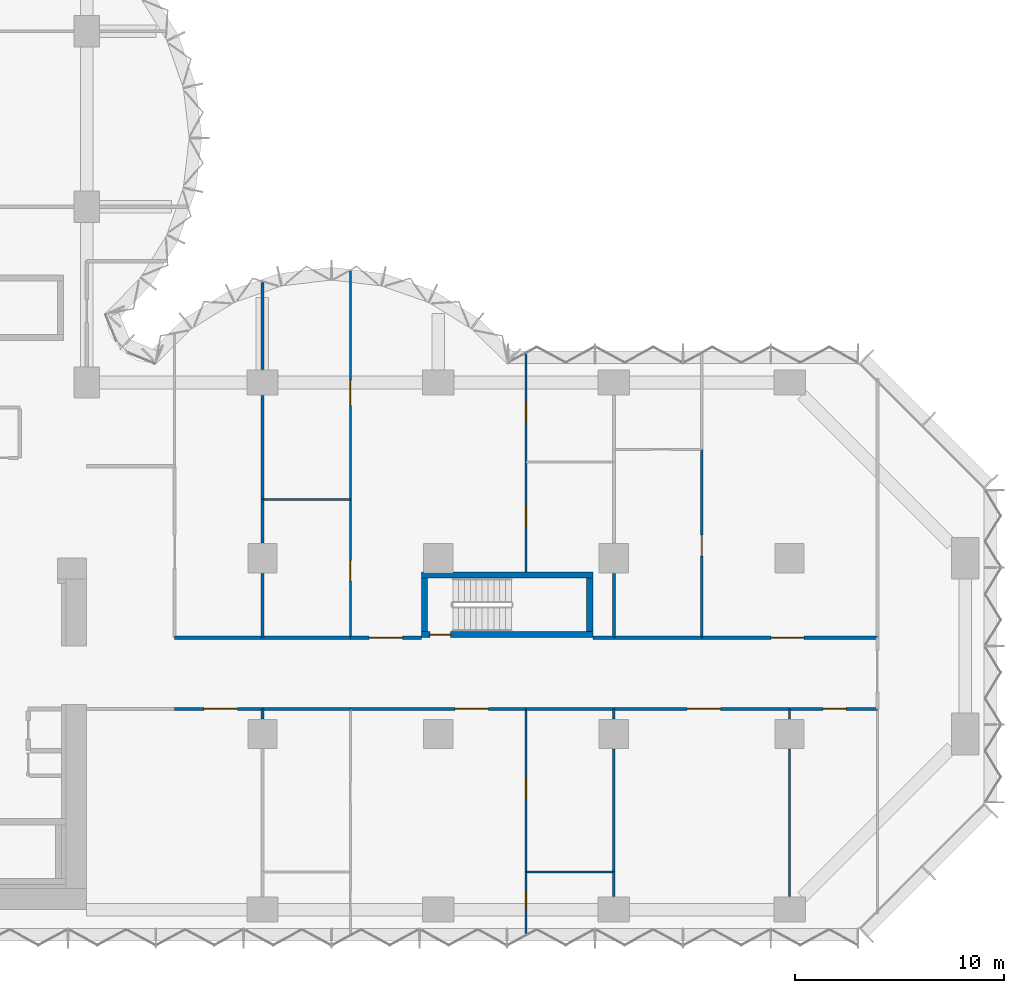
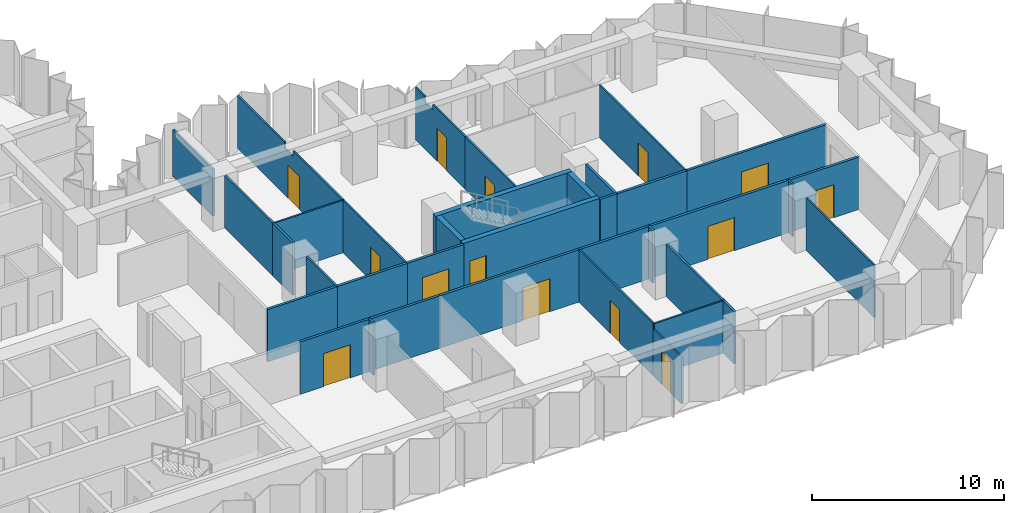
# One storey, part 12 of 18: 36 walls, 14 doors, 14 openings.
"""IFC4 building model written with IfcOpenShell, lengths in metres."""

from ifc_helpers import new_model, si_unit, direction, frame, frame_2d, origin, place, context, subcontext, project, spatial, polyline, rectangle, outline, extrude, material, layer, layer_set, type_object, element, fill, save


model = new_model("IFC4")

# Units and contexts
model_context = context("Model", 3, precision=1e-05, world=origin(), true_north=direction((0.0, 1.0)))
body_context = subcontext(model_context, "Body", "Model", "MODEL_VIEW")
ifc_project = project(units=[si_unit("LENGTHUNIT", "METRE"), si_unit("AREAUNIT", "SQUARE_METRE"), si_unit("VOLUMEUNIT", "CUBIC_METRE"), si_unit("PLANEANGLEUNIT", "RADIAN"), si_unit("MASSUNIT", "GRAM", prefix="KILO")], contexts=[model_context])

# Site, building, storey
site_placement = place(None, origin())
site = spatial("IfcSite", under=ifc_project, at=site_placement, CompositionType="ELEMENT")
building_placement = place(site_placement, origin())
building = spatial("IfcBuilding", under=site, at=building_placement, Name="Brevane Broadcast Tower", CompositionType="ELEMENT")
storey_placement = place(building_placement, frame((0.0, 0.0, 40.10009765625)))
storey = spatial("IfcBuildingStorey", under=building, at=storey_placement, Name="L07", CompositionType="ELEMENT", Elevation=40.10009765625)

# Wall, opening, door
ifc_material_1 = material(Name="Concrete C80/95", Category="concrete")
ifc_layer_1 = layer(ifc_material_1, 0.300048828125)
ifc_layer_set_1 = layer_set([ifc_layer_1], Name="Core wall 300 mm C80/95")
wall_type_1 = type_object("IfcWallType", Name="Core wall 300 mm C80/95", PredefinedType="SHEAR", material=ifc_layer_set_1)
wall_1_placement = place(storey_placement, frame((49.39990234375, 13.14990234375, 0.0), z_axis=(0.0, 0.0, 1.0), x_axis=(-1.0, 0.0, 0.0)))
wall_1 = element("IfcWall", 1, at=wall_1_placement, inside=storey, type_object=wall_type_1, Name="L07 stair wall ST-4-S", PredefinedType="SHEAR", context=body_context, shape_type="SweptSolid", body=[
    extrude(rectangle(XDim=8.199951171875, YDim=0.300048828125, at=frame_2d((4.10009765625, 0.0))), origin(), (0.0, 0.0, 1.0), 3.349853515625),
])
opening_1_placement = place(wall_1_placement, frame((6.800048828125, 0.0, 0.0)))
opening_1 = element("IfcOpeningElement", 2, at=opening_1_placement, cuts=wall_1, Name="Opening L07-K15", PredefinedType="OPENING", context=body_context, shape_type="SweptSolid", body=[
    extrude(rectangle(XDim=1.0, YDim=2.10009765625, at=frame_2d((0.5, 1.050048828125))), frame((0.0, 0.159912109375, 0.0), z_axis=(0.0, -1.0, 0.0), x_axis=(1.0, 0.0, 0.0)), (0.0, 0.0, 1.0), 0.320068359375),
])
ifc_material_2 = material(Name="Steel", Category="steel")
door_type_1 = type_object("IfcDoorType", Name="Stair door 1000 x 2100", OperationType="SINGLE_SWING_LEFT", PredefinedType="DOOR", material=ifc_material_2)
door_1_placement = place(opening_1_placement, origin())
door_1 = element("IfcDoor", 3, at=door_1_placement, inside=storey, type_object=door_type_1, Name="Door L07-K15", OperationType="SINGLE_SWING_LEFT", OverallHeight=2.10009765625, OverallWidth=1.0, PredefinedType="DOOR", context=body_context, shape_type="SweptSolid", body=[
    extrude(rectangle(XDim=1.0, YDim=2.10009765625, at=frame_2d((0.5, 1.050048828125))), frame((0.0, 0.02490234375, 0.0), z_axis=(0.0, -1.0, 0.0), x_axis=(1.0, 0.0, 0.0)), (0.0, 0.0, 1.0), 0.050048828125),
])
fill(opening_1, door_1)

# Walls
wall_2_placement = place(storey_placement, frame((41.199951171875, 16.0, 0.0), z_axis=(0.0, 0.0, 1.0), x_axis=(1.0, 0.0, 0.0)))
element("IfcWall", 4, at=wall_2_placement, inside=storey, type_object=wall_type_1, Name="L07 stair wall ST-4-N", PredefinedType="SHEAR", context=body_context, shape_type="SweptSolid", body=[
    extrude(rectangle(XDim=8.199951171875, YDim=0.300048828125, at=frame_2d((4.10009765625, 0.0))), origin(), (0.0, 0.0, 1.0), 3.349853515625),
])
for number, where, z_axis, x_axis, name in (
    (5, (41.35009765625, 13.300048828125, 0.0), (0.0, 0.0, 1.0), (0.0, 1.0, 0.0), "L07 stair wall ST-4-W"),
    (6, (49.25, 13.300048828125, 0.0), (0.0, 0.0, 1.0), (0.0, 1.0, 0.0), "L07 stair wall ST-4-E"),
):
    element("IfcWall", number, at=place(storey_placement, frame(where, z_axis=z_axis, x_axis=x_axis)), inside=storey, type_object=wall_type_1, Name=name, PredefinedType="SHEAR", context=body_context, shape_type="SweptSolid", body=[
        extrude(rectangle(XDim=2.550048828125, YDim=0.300048828125, at=frame_2d((1.27490234375, 0.0))), origin(), (0.0, 0.0, 1.0), 3.349853515625),
    ])

# Wall, opening, door
ifc_material_3 = material(Name="Gypsum board partition")
ifc_layer_2 = layer(ifc_material_3, 0.10009765625)
ifc_layer_set_2 = layer_set([ifc_layer_2], Name="PARTITION 100 STUD")
wall_type_2 = type_object("IfcWallType", Name="PARTITION 100 STUD", PredefinedType="PARTITIONING", material=ifc_layer_set_2)
wall_3_placement = place(storey_placement, frame((46.199951171875, 1.800048828125, 0.0), z_axis=(0.0, 0.0, 1.0), x_axis=(0.0, -1.0, 0.0)))
wall_3 = element("IfcWall", 7, at=wall_3_placement, inside=storey, type_object=wall_type_2, Name="Partition G01-025", PredefinedType="PARTITIONING", context=body_context, shape_type="SweptSolid", body=[
    extrude(rectangle(XDim=2.97412109375, YDim=0.10009765625, at=frame_2d((1.487060546875, 0.0))), origin(), (0.0, 0.0, 1.0), 2.97998046875),
])
opening_2_placement = place(wall_3_placement, frame((0.89990234375, 0.0, 0.0)))
opening_2 = element("IfcOpeningElement", 8, at=opening_2_placement, cuts=wall_3, Name="Opening D07-005", PredefinedType="OPENING", context=body_context, shape_type="SweptSolid", body=[
    extrude(rectangle(XDim=0.89990234375, YDim=2.10009765625, at=frame_2d((0.449951171875, 1.050048828125))), frame((0.0, 0.06005859375, 0.0), z_axis=(0.0, -1.0, 0.0), x_axis=(1.0, 0.0, 0.0)), (0.0, 0.0, 1.0), 0.1201171875),
])
ifc_material_4 = material(Name="Timber door leaf", Category="wood")
door_type_2 = type_object("IfcDoorType", Name="DOOR SINGLE 900 INTERNAL", OperationType="SINGLE_SWING_LEFT", PredefinedType="DOOR", material=ifc_material_4)
door_2_placement = place(opening_2_placement, origin())
door_2 = element("IfcDoor", 9, at=door_2_placement, inside=storey, type_object=door_type_2, Name="Door D07-005", OperationType="SINGLE_SWING_LEFT", OverallHeight=2.10009765625, OverallWidth=0.89990234375, PredefinedType="DOOR", context=body_context, shape_type="SweptSolid", body=[
    extrude(rectangle(XDim=0.89990234375, YDim=2.10009765625, at=frame_2d((0.449951171875, 1.050048828125))), frame((0.0, 0.02490234375, 0.0), z_axis=(0.0, -1.0, 0.0), x_axis=(1.0, 0.0, 0.0)), (0.0, 0.0, 1.0), 0.050048828125),
])
fill(opening_2, door_2)

wall_4_placement = place(storey_placement, frame((46.199951171875, 9.60009765625, 0.0), z_axis=(0.0, 0.0, 1.0), x_axis=(0.0, -1.0, 0.0)))
wall_4 = element("IfcWall", 10, at=wall_4_placement, inside=storey, type_object=wall_type_2, Name="Partition G01-026", PredefinedType="PARTITIONING", context=body_context, shape_type="SweptSolid", body=[
    extrude(rectangle(XDim=7.800048828125, YDim=0.10009765625, at=frame_2d((3.89990234375, 0.0))), origin(), (0.0, 0.0, 1.0), 3.329833984375),
])
opening_3_placement = place(wall_4_placement, frame((3.300048828125, 0.0, 0.0)))
opening_3 = element("IfcOpeningElement", 11, at=opening_3_placement, cuts=wall_4, Name="Opening D07-006", PredefinedType="OPENING", context=body_context, shape_type="SweptSolid", body=[
    extrude(rectangle(XDim=1.0, YDim=2.10009765625, at=frame_2d((0.5, 1.050048828125))), frame((0.0, 0.06005859375, 0.0), z_axis=(0.0, -1.0, 0.0), x_axis=(1.0, 0.0, 0.0)), (0.0, 0.0, 1.0), 0.1201171875),
])
door_type_3 = type_object("IfcDoorType", Name="DOOR SINGLE 1000 INTERNAL", OperationType="SINGLE_SWING_LEFT", PredefinedType="DOOR", material=ifc_material_4)
door_3_placement = place(opening_3_placement, origin())
door_3 = element("IfcDoor", 12, at=door_3_placement, inside=storey, type_object=door_type_3, Name="Door D07-006", OperationType="SINGLE_SWING_LEFT", OverallHeight=2.10009765625, OverallWidth=1.0, PredefinedType="DOOR", context=body_context, shape_type="SweptSolid", body=[
    extrude(rectangle(XDim=1.0, YDim=2.10009765625, at=frame_2d((0.5, 1.050048828125))), frame((0.0, 0.02490234375, 0.0), z_axis=(0.0, -1.0, 0.0), x_axis=(1.0, 0.0, 0.0)), (0.0, 0.0, 1.0), 0.050048828125),
])
fill(opening_3, door_3)

# Walls
wall_5_placement = place(storey_placement, frame((46.199951171875, 1.800048828125, 0.0), z_axis=(0.0, 0.0, 1.0), x_axis=(1.0, 0.0, 0.0)))
element("IfcWall", 13, at=wall_5_placement, inside=storey, type_object=wall_type_2, Name="Partition G01-029", PredefinedType="PARTITIONING", context=body_context, shape_type="SweptSolid", body=[
    extrude(rectangle(XDim=4.199951171875, YDim=0.10009765625, at=frame_2d((2.10009765625, 0.0))), origin(), (0.0, 0.0, 1.0), 3.329833984375),
])
wall_6_placement = place(storey_placement, frame((58.800048828125, 9.60009765625, 0.0), z_axis=(0.0, 0.0, 1.0), x_axis=(0.0, -1.0, 0.0)))
element("IfcWall", 14, at=wall_6_placement, inside=storey, type_object=wall_type_2, Name="Partition G01-034", PredefinedType="PARTITIONING", context=body_context, shape_type="SweptSolid", body=[
    extrude(rectangle(XDim=0.47998046875, YDim=0.10009765625, at=frame_2d((0.239990234375, 0.0))), origin(), (0.0, 0.0, 1.0), 3.329833984375),
])
wall_7_placement = place(storey_placement, frame((58.800048828125, 7.679931640625, 0.0), z_axis=(0.0, 0.0, 1.0), x_axis=(0.0, -1.0, 0.0)))
element("IfcWall", 15, at=wall_7_placement, inside=storey, type_object=wall_type_2, Name="Partition G01-035", PredefinedType="PARTITIONING", context=body_context, shape_type="SweptSolid", body=[
    extrude(rectangle(XDim=7.059814453125, YDim=0.10009765625, at=frame_2d((3.52978515625, 0.0))), origin(), (0.0, 0.0, 1.0), 3.329833984375),
])

# Wall, opening, door
wall_8_placement = place(storey_placement, frame((46.199951171875, 21.39990234375, 0.0), z_axis=(0.0, 0.0, 1.0), x_axis=(0.0, -1.0, 0.0)))
wall_8 = element("IfcWall", 16, at=wall_8_placement, inside=storey, type_object=wall_type_2, Name="Partition G01-040", PredefinedType="PARTITIONING", context=body_context, shape_type="SweptSolid", body=[
    extrude(rectangle(XDim=5.25, YDim=0.10009765625, at=frame_2d((2.625, 0.0))), origin(), (0.0, 0.0, 1.0), 3.329833984375),
])
opening_4_placement = place(wall_8_placement, frame((2.10009765625, 0.0, 0.0)))
opening_4 = element("IfcOpeningElement", 17, at=opening_4_placement, cuts=wall_8, Name="Opening D07-013", PredefinedType="OPENING", context=body_context, shape_type="SweptSolid", body=[
    extrude(rectangle(XDim=1.0, YDim=2.10009765625, at=frame_2d((0.5, 1.050048828125))), frame((0.0, 0.06005859375, 0.0), z_axis=(0.0, -1.0, 0.0), x_axis=(1.0, 0.0, 0.0)), (0.0, 0.0, 1.0), 0.1201171875),
])
door_4_placement = place(opening_4_placement, origin())
door_4 = element("IfcDoor", 18, at=door_4_placement, inside=storey, type_object=door_type_3, Name="Door D07-013", OperationType="SINGLE_SWING_LEFT", OverallHeight=2.10009765625, OverallWidth=1.0, PredefinedType="DOOR", context=body_context, shape_type="SweptSolid", body=[
    extrude(rectangle(XDim=1.0, YDim=2.10009765625, at=frame_2d((0.5, 1.050048828125))), frame((0.0, 0.02490234375, 0.0), z_axis=(0.0, -1.0, 0.0), x_axis=(1.0, 0.0, 0.0)), (0.0, 0.0, 1.0), 0.050048828125),
])
fill(opening_4, door_4)

wall_9_placement = place(storey_placement, frame((46.199951171875, 26.56494140625, 0.0), z_axis=(0.0, 0.0, 1.0), x_axis=(0.0, -1.0, 0.0)))
wall_9 = element("IfcWall", 19, at=wall_9_placement, inside=storey, type_object=wall_type_2, Name="Partition G01-041", PredefinedType="PARTITIONING", context=body_context, shape_type="SweptSolid", body=[
    extrude(outline(polyline([(0.0, 0.0), (5.1650390625, 0.0), (5.1650390625, 3.329833984375), (1.81494140625, 3.329833984375), (1.81298828125, 2.97998046875), (0.9169921875, 2.97998046875), (0.9150390625, 3.329833984375), (0.264892578125, 3.329833984375), (0.0, 3.329833984375), (0.0, 0.0)])), frame((0.0, 0.050048828125, 0.0), z_axis=(0.0, -1.0, 0.0), x_axis=(1.0, 0.0, 0.0)), (0.0, 0.0, 1.0), 0.10009765625),
])
opening_5_placement = place(wall_9_placement, frame((2.264892578125, 0.0, 0.0)))
opening_5 = element("IfcOpeningElement", 20, at=opening_5_placement, cuts=wall_9, Name="Opening D07-014", PredefinedType="OPENING", context=body_context, shape_type="SweptSolid", body=[
    extrude(rectangle(XDim=1.0, YDim=2.10009765625, at=frame_2d((0.5, 1.050048828125))), frame((0.0, 0.06005859375, 0.0), z_axis=(0.0, -1.0, 0.0), x_axis=(1.0, 0.0, 0.0)), (0.0, 0.0, 1.0), 0.1201171875),
])
door_5_placement = place(opening_5_placement, origin())
door_5 = element("IfcDoor", 21, at=door_5_placement, inside=storey, type_object=door_type_3, Name="Door D07-014", OperationType="SINGLE_SWING_LEFT", OverallHeight=2.10009765625, OverallWidth=1.0, PredefinedType="DOOR", context=body_context, shape_type="SweptSolid", body=[
    extrude(rectangle(XDim=1.0, YDim=2.10009765625, at=frame_2d((0.5, 1.050048828125))), frame((0.0, 0.02490234375, 0.0), z_axis=(0.0, -1.0, 0.0), x_axis=(1.0, 0.0, 0.0)), (0.0, 0.0, 1.0), 0.050048828125),
])
fill(opening_5, door_5)

wall_10_placement = place(storey_placement, frame((37.800048828125, 13.0, 0.0), z_axis=(0.0, 0.0, 1.0), x_axis=(0.0, 1.0, 0.0)))
wall_10 = element("IfcWall", 22, at=wall_10_placement, inside=storey, type_object=wall_type_2, Name="Partition G01-042", PredefinedType="PARTITIONING", context=body_context, shape_type="SweptSolid", body=[
    extrude(rectangle(XDim=6.60009765625, YDim=0.10009765625, at=frame_2d((3.300048828125, 0.0))), origin(), (0.0, 0.0, 1.0), 3.329833984375),
])
opening_6_placement = place(wall_10_placement, frame((2.699951171875, 0.0, 0.0)))
opening_6 = element("IfcOpeningElement", 23, at=opening_6_placement, cuts=wall_10, Name="Opening D07-015", PredefinedType="OPENING", context=body_context, shape_type="SweptSolid", body=[
    extrude(rectangle(XDim=1.0, YDim=2.10009765625, at=frame_2d((0.5, 1.050048828125))), frame((0.0, 0.06005859375, 0.0), z_axis=(0.0, -1.0, 0.0), x_axis=(1.0, 0.0, 0.0)), (0.0, 0.0, 1.0), 0.1201171875),
])
door_6_placement = place(opening_6_placement, origin())
door_6 = element("IfcDoor", 24, at=door_6_placement, inside=storey, type_object=door_type_3, Name="Door D07-015", OperationType="SINGLE_SWING_LEFT", OverallHeight=2.10009765625, OverallWidth=1.0, PredefinedType="DOOR", context=body_context, shape_type="SweptSolid", body=[
    extrude(rectangle(XDim=1.0, YDim=2.10009765625, at=frame_2d((0.5, 1.050048828125))), frame((0.0, 0.02490234375, 0.0), z_axis=(0.0, -1.0, 0.0), x_axis=(1.0, 0.0, 0.0)), (0.0, 0.0, 1.0), 0.050048828125),
])
fill(opening_6, door_6)

wall_11_placement = place(storey_placement, frame((37.800048828125, 19.60009765625, 0.0), z_axis=(0.0, 0.0, 1.0), x_axis=(0.0, 1.0, 0.0)))
wall_11 = element("IfcWall", 25, at=wall_11_placement, inside=storey, type_object=wall_type_2, Name="Partition G01-043", PredefinedType="PARTITIONING", context=body_context, shape_type="SweptSolid", body=[
    extrude(outline(polyline([(0.0, 0.0), (10.92578125, 0.0), (10.926025390625, 3.329833984375), (10.642822265625, 3.329833984375), (6.050048828125, 3.329833984375), (6.048095703125, 2.97998046875), (5.152099609375, 2.97998046875), (5.14990234375, 3.329833984375), (0.0, 3.329833984375), (0.0, 0.0)])), frame((0.0, 0.050048828125, 0.0), z_axis=(0.0, -1.0, 0.0), x_axis=(1.0, 0.0, 0.0)), (0.0, 0.0, 1.0), 0.10009765625),
])
opening_7_placement = place(wall_11_placement, frame((4.5, 0.0, 0.0)))
opening_7 = element("IfcOpeningElement", 26, at=opening_7_placement, cuts=wall_11, Name="Opening D07-016", PredefinedType="OPENING", context=body_context, shape_type="SweptSolid", body=[
    extrude(rectangle(XDim=1.199951171875, YDim=2.10009765625, at=frame_2d((0.60009765625, 1.050048828125))), frame((0.0, 0.06005859375, 0.0), z_axis=(0.0, -1.0, 0.0), x_axis=(1.0, 0.0, 0.0)), (0.0, 0.0, 1.0), 0.1201171875),
])
door_type_4 = type_object("IfcDoorType", Name="DOOR SINGLE 1200 INTERNAL", OperationType="SINGLE_SWING_LEFT", PredefinedType="DOOR", material=ifc_material_4)
door_7_placement = place(opening_7_placement, origin())
door_7 = element("IfcDoor", 27, at=door_7_placement, inside=storey, type_object=door_type_4, Name="Door D07-016", OperationType="SINGLE_SWING_LEFT", OverallHeight=2.10009765625, OverallWidth=1.199951171875, PredefinedType="DOOR", context=body_context, shape_type="SweptSolid", body=[
    extrude(rectangle(XDim=1.199951171875, YDim=2.10009765625, at=frame_2d((0.60009765625, 1.050048828125))), frame((0.0, 0.02490234375, 0.0), z_axis=(0.0, -1.0, 0.0), x_axis=(1.0, 0.0, 0.0)), (0.0, 0.0, 1.0), 0.050048828125),
])
fill(opening_7, door_7)

# Wall
wall_12_placement = place(storey_placement, frame((33.60009765625, 19.60009765625, 0.0), z_axis=(0.0, 0.0, 1.0), x_axis=(1.0, 0.0, 0.0)))
element("IfcWall", 28, at=wall_12_placement, inside=storey, type_object=wall_type_2, Name="Partition G01-049", PredefinedType="PARTITIONING", context=body_context, shape_type="SweptSolid", body=[
    extrude(rectangle(XDim=4.199951171875, YDim=0.10009765625, at=frame_2d((2.10009765625, 0.0))), origin(), (0.0, 0.0, 1.0), 3.329833984375),
])

# Wall, opening, door
wall_13_placement = place(storey_placement, frame((54.60009765625, 13.0, 0.0), z_axis=(0.0, 0.0, 1.0), x_axis=(0.0, 1.0, 0.0)))
wall_13 = element("IfcWall", 29, at=wall_13_placement, inside=storey, type_object=wall_type_2, Name="Partition G01-050", PredefinedType="PARTITIONING", context=body_context, shape_type="SweptSolid", body=[
    extrude(rectangle(XDim=9.0, YDim=0.10009765625, at=frame_2d((4.5, 0.0))), origin(), (0.0, 0.0, 1.0), 3.329833984375),
])
opening_8_placement = place(wall_13_placement, frame((3.89990234375, 0.0, 0.0)))
opening_8 = element("IfcOpeningElement", 30, at=opening_8_placement, cuts=wall_13, Name="Opening D07-018", PredefinedType="OPENING", context=body_context, shape_type="SweptSolid", body=[
    extrude(rectangle(XDim=1.0, YDim=2.10009765625, at=frame_2d((0.5, 1.050048828125))), frame((0.0, 0.06005859375, 0.0), z_axis=(0.0, -1.0, 0.0), x_axis=(1.0, 0.0, 0.0)), (0.0, 0.0, 1.0), 0.1201171875),
])
door_8_placement = place(opening_8_placement, origin())
door_8 = element("IfcDoor", 31, at=door_8_placement, inside=storey, type_object=door_type_3, Name="Door D07-018", OperationType="SINGLE_SWING_LEFT", OverallHeight=2.10009765625, OverallWidth=1.0, PredefinedType="DOOR", context=body_context, shape_type="SweptSolid", body=[
    extrude(rectangle(XDim=1.0, YDim=2.10009765625, at=frame_2d((0.5, 1.050048828125))), frame((0.0, 0.02490234375, 0.0), z_axis=(0.0, -1.0, 0.0), x_axis=(1.0, 0.0, 0.0)), (0.0, 0.0, 1.0), 0.050048828125),
])
fill(opening_8, door_8)

# Walls
ifc_layer_3 = layer(ifc_material_3, 0.125)
ifc_layer_set_3 = layer_set([ifc_layer_3], Name="PARTITION 125 ACOUSTIC")
wall_type_3 = type_object("IfcWallType", Name="PARTITION 125 ACOUSTIC", PredefinedType="PARTITIONING", material=ifc_layer_set_3)
wall_14_placement = place(storey_placement, frame((33.60009765625, 9.60009765625, 0.0), z_axis=(0.0, 0.0, 1.0), x_axis=(0.0, -1.0, 0.0)))
element("IfcWall", 32, at=wall_14_placement, inside=storey, type_object=wall_type_3, Name="Partition G01-023", PredefinedType="PARTITIONING", context=body_context, shape_type="SweptSolid", body=[
    extrude(rectangle(XDim=0.47998046875, YDim=0.125, at=frame_2d((0.239990234375, 0.0))), origin(), (0.0, 0.0, 1.0), 3.329833984375),
])
wall_15_placement = place(storey_placement, frame((50.39990234375, 1.800048828125, 0.0), z_axis=(0.0, 0.0, 1.0), x_axis=(0.0, -1.0, 0.0)))
element("IfcWall", 33, at=wall_15_placement, inside=storey, type_object=wall_type_3, Name="Partition G01-030", PredefinedType="PARTITIONING", context=body_context, shape_type="SweptSolid", body=[
    extrude(rectangle(XDim=1.179931640625, YDim=0.125, at=frame_2d((0.58984375, 0.0))), origin(), (0.0, 0.0, 1.0), 3.329833984375),
])
wall_16_placement = place(storey_placement, frame((50.39990234375, 9.60009765625, 0.0), z_axis=(0.0, 0.0, 1.0), x_axis=(0.0, -1.0, 0.0)))
element("IfcWall", 34, at=wall_16_placement, inside=storey, type_object=wall_type_3, Name="Partition G01-031", PredefinedType="PARTITIONING", context=body_context, shape_type="SweptSolid", body=[
    extrude(rectangle(XDim=0.47998046875, YDim=0.125, at=frame_2d((0.239990234375, 0.0))), origin(), (0.0, 0.0, 1.0), 3.329833984375),
])
wall_17_placement = place(storey_placement, frame((50.39990234375, 7.679931640625, 0.0), z_axis=(0.0, 0.0, 1.0), x_axis=(0.0, -1.0, 0.0)))
element("IfcWall", 35, at=wall_17_placement, inside=storey, type_object=wall_type_3, Name="Partition G01-032", PredefinedType="PARTITIONING", context=body_context, shape_type="SweptSolid", body=[
    extrude(rectangle(XDim=5.8798828125, YDim=0.125, at=frame_2d((2.93994140625, 0.0))), origin(), (0.0, 0.0, 1.0), 3.329833984375),
])
wall_18_placement = place(storey_placement, frame((33.60009765625, 19.60009765625, 0.0), z_axis=(0.0, 0.0, 1.0), x_axis=(0.0, -1.0, 0.0)))
element("IfcWall", 36, at=wall_18_placement, inside=storey, type_object=wall_type_3, Name="Partition G01-036", PredefinedType="PARTITIONING", context=body_context, shape_type="SweptSolid", body=[
    extrude(rectangle(XDim=2.080078125, YDim=0.125, at=frame_2d((1.0400390625, 0.0))), origin(), (0.0, 0.0, 1.0), 3.329833984375),
])
wall_19_placement = place(storey_placement, frame((33.60009765625, 16.080078125, 0.0), z_axis=(0.0, 0.0, 1.0), x_axis=(0.0, -1.0, 0.0)))
element("IfcWall", 37, at=wall_19_placement, inside=storey, type_object=wall_type_3, Name="Partition G01-037", PredefinedType="PARTITIONING", context=body_context, shape_type="SweptSolid", body=[
    extrude(rectangle(XDim=3.080078125, YDim=0.125, at=frame_2d((1.5400390625, 0.0))), origin(), (0.0, 0.0, 1.0), 3.329833984375),
])
wall_20_placement = place(storey_placement, frame((33.60009765625, 29.98828125, 0.0), z_axis=(0.0, 0.0, 1.0), x_axis=(0.0, -1.0, 0.0)))
element("IfcWall", 38, at=wall_20_placement, inside=storey, type_object=wall_type_3, Name="Partition G01-038", PredefinedType="PARTITIONING", context=body_context, shape_type="SweptSolid", body=[
    extrude(rectangle(XDim=4.168212890625, YDim=0.125, at=frame_2d((2.083984375, 0.0))), origin(), (0.0, 0.0, 1.0), 2.97998046875),
])
wall_21_placement = place(storey_placement, frame((33.60009765625, 24.580078125, 0.0), z_axis=(0.0, 0.0, 1.0), x_axis=(0.0, -1.0, 0.0)))
element("IfcWall", 39, at=wall_21_placement, inside=storey, type_object=wall_type_3, Name="Partition G01-039", PredefinedType="PARTITIONING", context=body_context, shape_type="SweptSolid", body=[
    extrude(rectangle(XDim=4.97998046875, YDim=0.125, at=frame_2d((2.489990234375, 0.0))), origin(), (0.0, 0.0, 1.0), 3.329833984375),
])

# Wall, opening, door
ifc_layer_4 = layer(ifc_material_3, 0.14990234375)
ifc_layer_set_4 = layer_set([ifc_layer_4], Name="PARTITION 150 EI 60")
wall_type_4 = type_object("IfcWallType", Name="PARTITION 150 EI 60", PredefinedType="PARTITIONING", material=ifc_layer_set_4)
wall_22_placement = place(storey_placement, frame((33.60009765625, 9.60009765625, 0.0), z_axis=(0.0, 0.0, 1.0), x_axis=(-1.0, 0.0, 0.0)))
wall_22 = element("IfcWall", 40, at=wall_22_placement, inside=storey, type_object=wall_type_4, Name="Partition G01-008", PredefinedType="PARTITIONING", context=body_context, shape_type="SweptSolid", body=[
    extrude(rectangle(XDim=4.2001953125, YDim=0.14990234375, at=frame_2d((2.10009765625, 0.0))), origin(), (0.0, 0.0, 1.0), 3.329833984375),
])
opening_9_placement = place(wall_22_placement, frame((1.199951171875, 0.0, 0.0)))
opening_9 = element("IfcOpeningElement", 41, at=opening_9_placement, cuts=wall_22, Name="Opening D07-003", PredefinedType="OPENING", context=body_context, shape_type="SweptSolid", body=[
    extrude(rectangle(XDim=1.60009765625, YDim=2.10009765625, at=frame_2d((0.800048828125, 1.050048828125))), frame((0.0, 0.0849609375, 0.0), z_axis=(0.0, -1.0, 0.0), x_axis=(1.0, 0.0, 0.0)), (0.0, 0.0, 1.0), 0.169921875),
])
ifc_material_5 = material(Name="Fire-rated timber door leaf", Category="wood")
door_type_5 = type_object("IfcDoorType", Name="DOOR DOUBLE 1600 FD30S", OperationType="DOUBLE_DOOR_SINGLE_SWING", PredefinedType="DOOR", material=ifc_material_5)
door_9_placement = place(opening_9_placement, origin())
door_9 = element("IfcDoor", 42, at=door_9_placement, inside=storey, type_object=door_type_5, Name="Door D07-003", OperationType="DOUBLE_DOOR_SINGLE_SWING", OverallHeight=2.10009765625, OverallWidth=1.60009765625, PredefinedType="DOOR", context=body_context, shape_type="SweptSolid", body=[
    extrude(rectangle(XDim=1.60009765625, YDim=2.10009765625, at=frame_2d((0.800048828125, 1.050048828125))), frame((0.0, 0.02490234375, 0.0), z_axis=(0.0, -1.0, 0.0), x_axis=(1.0, 0.0, 0.0)), (0.0, 0.0, 1.0), 0.050048828125),
])
fill(opening_9, door_9)

wall_23_placement = place(storey_placement, frame((46.199951171875, 9.60009765625, 0.0), z_axis=(0.0, 0.0, 1.0), x_axis=(-1.0, 0.0, 0.0)))
wall_23 = element("IfcWall", 43, at=wall_23_placement, inside=storey, type_object=wall_type_4, Name="Partition G01-009", PredefinedType="PARTITIONING", context=body_context, shape_type="SweptSolid", body=[
    extrude(rectangle(XDim=8.39990234375, YDim=0.14990234375, at=frame_2d((4.199951171875, 0.0))), origin(), (0.0, 0.0, 1.0), 3.329833984375),
])
opening_10_placement = place(wall_23_placement, frame((1.800048828125, 0.0, 0.0)))
opening_10 = element("IfcOpeningElement", 44, at=opening_10_placement, cuts=wall_23, Name="Opening D07-004", PredefinedType="OPENING", context=body_context, shape_type="SweptSolid", body=[
    extrude(rectangle(XDim=1.60009765625, YDim=2.10009765625, at=frame_2d((0.800048828125, 1.050048828125))), frame((0.0, 0.0849609375, 0.0), z_axis=(0.0, -1.0, 0.0), x_axis=(1.0, 0.0, 0.0)), (0.0, 0.0, 1.0), 0.169921875),
])
door_10_placement = place(opening_10_placement, origin())
door_10 = element("IfcDoor", 45, at=door_10_placement, inside=storey, type_object=door_type_5, Name="Door D07-004", OperationType="DOUBLE_DOOR_SINGLE_SWING", OverallHeight=2.10009765625, OverallWidth=1.60009765625, PredefinedType="DOOR", context=body_context, shape_type="SweptSolid", body=[
    extrude(rectangle(XDim=1.60009765625, YDim=2.10009765625, at=frame_2d((0.800048828125, 1.050048828125))), frame((0.0, 0.02490234375, 0.0), z_axis=(0.0, -1.0, 0.0), x_axis=(1.0, 0.0, 0.0)), (0.0, 0.0, 1.0), 0.050048828125),
])
fill(opening_10, door_10)

# Walls
for number, where, z_axis, x_axis, name in (
    (46, (50.39990234375, 9.60009765625, 0.0), (0.0, 0.0, 1.0), (-1.0, 0.0, 0.0), "Partition G01-010"),
    (47, (37.800048828125, 9.60009765625, 0.0), (0.0, 0.0, 1.0), (-1.0, 0.0, 0.0), "Partition G01-011"),
):
    element("IfcWall", number, at=place(storey_placement, frame(where, z_axis=z_axis, x_axis=x_axis)), inside=storey, type_object=wall_type_4, Name=name, PredefinedType="PARTITIONING", context=body_context, shape_type="SweptSolid", body=[
        extrude(rectangle(XDim=4.199951171875, YDim=0.14990234375, at=frame_2d((2.10009765625, 0.0))), origin(), (0.0, 0.0, 1.0), 3.329833984375),
    ])

# Wall, opening, door
wall_24_placement = place(storey_placement, frame((58.800048828125, 9.60009765625, 0.0), z_axis=(0.0, 0.0, 1.0), x_axis=(-1.0, 0.0, 0.0)))
wall_24 = element("IfcWall", 48, at=wall_24_placement, inside=storey, type_object=wall_type_4, Name="Partition G01-012", PredefinedType="PARTITIONING", context=body_context, shape_type="SweptSolid", body=[
    extrude(rectangle(XDim=8.400146484375, YDim=0.14990234375, at=frame_2d((4.2001953125, 0.0))), origin(), (0.0, 0.0, 1.0), 3.329833984375),
])
opening_11_placement = place(wall_24_placement, frame((3.300048828125, 0.0, 0.0)))
opening_11 = element("IfcOpeningElement", 49, at=opening_11_placement, cuts=wall_24, Name="Opening D07-009", PredefinedType="OPENING", context=body_context, shape_type="SweptSolid", body=[
    extrude(rectangle(XDim=1.60009765625, YDim=2.10009765625, at=frame_2d((0.800048828125, 1.050048828125))), frame((0.0, 0.0849609375, 0.0), z_axis=(0.0, -1.0, 0.0), x_axis=(1.0, 0.0, 0.0)), (0.0, 0.0, 1.0), 0.169921875),
])
door_11_placement = place(opening_11_placement, origin())
door_11 = element("IfcDoor", 50, at=door_11_placement, inside=storey, type_object=door_type_5, Name="Door D07-009", OperationType="DOUBLE_DOOR_SINGLE_SWING", OverallHeight=2.10009765625, OverallWidth=1.60009765625, PredefinedType="DOOR", context=body_context, shape_type="SweptSolid", body=[
    extrude(rectangle(XDim=1.60009765625, YDim=2.10009765625, at=frame_2d((0.800048828125, 1.050048828125))), frame((0.0, 0.02490234375, 0.0), z_axis=(0.0, -1.0, 0.0), x_axis=(1.0, 0.0, 0.0)), (0.0, 0.0, 1.0), 0.050048828125),
])
fill(opening_11, door_11)

wall_25_placement = place(storey_placement, frame((63.0, 9.60009765625, 0.0), z_axis=(0.0, 0.0, 1.0), x_axis=(-1.0, 0.0, 0.0)))
wall_25 = element("IfcWall", 51, at=wall_25_placement, inside=storey, type_object=wall_type_4, Name="Partition G01-013", PredefinedType="PARTITIONING", context=body_context, shape_type="SweptSolid", body=[
    extrude(rectangle(XDim=4.199951171875, YDim=0.14990234375, at=frame_2d((2.10009765625, 0.0))), origin(), (0.0, 0.0, 1.0), 3.329833984375),
])
opening_12_placement = place(wall_25_placement, frame((1.5, 0.0, 0.0)))
opening_12 = element("IfcOpeningElement", 52, at=opening_12_placement, cuts=wall_25, Name="Opening D07-010", PredefinedType="OPENING", context=body_context, shape_type="SweptSolid", body=[
    extrude(rectangle(XDim=1.10009765625, YDim=2.10009765625, at=frame_2d((0.550048828125, 1.050048828125))), frame((0.0, 0.0849609375, 0.0), z_axis=(0.0, -1.0, 0.0), x_axis=(1.0, 0.0, 0.0)), (0.0, 0.0, 1.0), 0.169921875),
])
door_type_6 = type_object("IfcDoorType", Name="DOOR SINGLE 1100 FD30S", OperationType="SINGLE_SWING_LEFT", PredefinedType="DOOR", material=ifc_material_5)
door_12_placement = place(opening_12_placement, origin())
door_12 = element("IfcDoor", 53, at=door_12_placement, inside=storey, type_object=door_type_6, Name="Door D07-010", OperationType="SINGLE_SWING_LEFT", OverallHeight=2.10009765625, OverallWidth=1.10009765625, PredefinedType="DOOR", context=body_context, shape_type="SweptSolid", body=[
    extrude(rectangle(XDim=1.10009765625, YDim=2.10009765625, at=frame_2d((0.550048828125, 1.050048828125))), frame((0.0, 0.02490234375, 0.0), z_axis=(0.0, -1.0, 0.0), x_axis=(1.0, 0.0, 0.0)), (0.0, 0.0, 1.0), 0.050048828125),
])
fill(opening_12, door_12)

# Wall
wall_26_placement = place(storey_placement, frame((29.39990234375, 13.0, 0.0), z_axis=(0.0, 0.0, 1.0), x_axis=(1.0, 0.0, 0.0)))
element("IfcWall", 54, at=wall_26_placement, inside=storey, type_object=wall_type_4, Name="Partition G01-014", PredefinedType="PARTITIONING", context=body_context, shape_type="SweptSolid", body=[
    extrude(rectangle(XDim=4.2001953125, YDim=0.14990234375, at=frame_2d((2.10009765625, 0.0))), origin(), (0.0, 0.0, 1.0), 3.329833984375),
])

# Wall, opening, door
wall_27_placement = place(storey_placement, frame((37.800048828125, 13.0, 0.0), z_axis=(0.0, 0.0, 1.0), x_axis=(1.0, 0.0, 0.0)))
wall_27 = element("IfcWall", 55, at=wall_27_placement, inside=storey, type_object=wall_type_4, Name="Partition G01-015", PredefinedType="PARTITIONING", context=body_context, shape_type="SweptSolid", body=[
    extrude(rectangle(XDim=3.39990234375, YDim=0.14990234375, at=frame_2d((1.699951171875, 0.0))), origin(), (0.0, 0.0, 1.0), 3.329833984375),
])
opening_13_placement = place(wall_27_placement, frame((0.89990234375, 0.0, 0.0)))
opening_13 = element("IfcOpeningElement", 56, at=opening_13_placement, cuts=wall_27, Name="Opening D07-012", PredefinedType="OPENING", context=body_context, shape_type="SweptSolid", body=[
    extrude(rectangle(XDim=1.60009765625, YDim=2.10009765625, at=frame_2d((0.800048828125, 1.050048828125))), frame((0.0, 0.0849609375, 0.0), z_axis=(0.0, -1.0, 0.0), x_axis=(1.0, 0.0, 0.0)), (0.0, 0.0, 1.0), 0.169921875),
])
door_13_placement = place(opening_13_placement, origin())
door_13 = element("IfcDoor", 57, at=door_13_placement, inside=storey, type_object=door_type_5, Name="Door D07-012", OperationType="DOUBLE_DOOR_SINGLE_SWING", OverallHeight=2.10009765625, OverallWidth=1.60009765625, PredefinedType="DOOR", context=body_context, shape_type="SweptSolid", body=[
    extrude(rectangle(XDim=1.60009765625, YDim=2.10009765625, at=frame_2d((0.800048828125, 1.050048828125))), frame((0.0, 0.02490234375, 0.0), z_axis=(0.0, -1.0, 0.0), x_axis=(1.0, 0.0, 0.0)), (0.0, 0.0, 1.0), 0.050048828125),
])
fill(opening_13, door_13)

# Walls
wall_28_placement = place(storey_placement, frame((49.39990234375, 13.0, 0.0), z_axis=(0.0, 0.0, 1.0), x_axis=(1.0, 0.0, 0.0)))
element("IfcWall", 58, at=wall_28_placement, inside=storey, type_object=wall_type_4, Name="Partition G01-016", PredefinedType="PARTITIONING", context=body_context, shape_type="SweptSolid", body=[
    extrude(rectangle(XDim=1.0, YDim=0.14990234375, at=frame_2d((0.5, 0.0))), origin(), (0.0, 0.0, 1.0), 3.329833984375),
])
wall_29_placement = place(storey_placement, frame((33.60009765625, 13.0, 0.0), z_axis=(0.0, 0.0, 1.0), x_axis=(1.0, 0.0, 0.0)))
element("IfcWall", 59, at=wall_29_placement, inside=storey, type_object=wall_type_4, Name="Partition G01-017", PredefinedType="PARTITIONING", context=body_context, shape_type="SweptSolid", body=[
    extrude(rectangle(XDim=4.199951171875, YDim=0.14990234375, at=frame_2d((2.10009765625, 0.0))), origin(), (0.0, 0.0, 1.0), 3.329833984375),
])

# Wall, opening, door
wall_30_placement = place(storey_placement, frame((54.60009765625, 13.0, 0.0), z_axis=(0.0, 0.0, 1.0), x_axis=(1.0, 0.0, 0.0)))
wall_30 = element("IfcWall", 60, at=wall_30_placement, inside=storey, type_object=wall_type_4, Name="Partition G01-018", PredefinedType="PARTITIONING", context=body_context, shape_type="SweptSolid", body=[
    extrude(rectangle(XDim=8.39990234375, YDim=0.14990234375, at=frame_2d((4.199951171875, 0.0))), origin(), (0.0, 0.0, 1.0), 3.329833984375),
])
opening_14_placement = place(wall_30_placement, frame((3.300048828125, 0.0, 0.0)))
opening_14 = element("IfcOpeningElement", 61, at=opening_14_placement, cuts=wall_30, Name="Opening D07-017", PredefinedType="OPENING", context=body_context, shape_type="SweptSolid", body=[
    extrude(rectangle(XDim=1.60009765625, YDim=2.10009765625, at=frame_2d((0.800048828125, 1.050048828125))), frame((0.0, 0.0849609375, 0.0), z_axis=(0.0, -1.0, 0.0), x_axis=(1.0, 0.0, 0.0)), (0.0, 0.0, 1.0), 0.169921875),
])
door_14_placement = place(opening_14_placement, origin())
door_14 = element("IfcDoor", 62, at=door_14_placement, inside=storey, type_object=door_type_5, Name="Door D07-017", OperationType="DOUBLE_DOOR_SINGLE_SWING", OverallHeight=2.10009765625, OverallWidth=1.60009765625, PredefinedType="DOOR", context=body_context, shape_type="SweptSolid", body=[
    extrude(rectangle(XDim=1.60009765625, YDim=2.10009765625, at=frame_2d((0.800048828125, 1.050048828125))), frame((0.0, 0.02490234375, 0.0), z_axis=(0.0, -1.0, 0.0), x_axis=(1.0, 0.0, 0.0)), (0.0, 0.0, 1.0), 0.050048828125),
])
fill(opening_14, door_14)

# Walls
wall_31_placement = place(storey_placement, frame((50.39990234375, 13.0, 0.0), z_axis=(0.0, 0.0, 1.0), x_axis=(1.0, 0.0, 0.0)))
element("IfcWall", 63, at=wall_31_placement, inside=storey, type_object=wall_type_4, Name="Partition G01-019", PredefinedType="PARTITIONING", context=body_context, shape_type="SweptSolid", body=[
    extrude(rectangle(XDim=4.2001953125, YDim=0.14990234375, at=frame_2d((2.10009765625, 0.0))), origin(), (0.0, 0.0, 1.0), 3.329833984375),
])
wall_32_placement = place(storey_placement, frame((50.39990234375, 16.080078125, 0.0), z_axis=(0.0, 0.0, 1.0), x_axis=(0.0, -1.0, 0.0)))
element("IfcWall", 64, at=wall_32_placement, inside=storey, type_object=wall_type_4, Name="Partition G01-046", PredefinedType="PARTITIONING", context=body_context, shape_type="SweptSolid", body=[
    extrude(rectangle(XDim=3.080078125, YDim=0.14990234375, at=frame_2d((1.5400390625, 0.0))), origin(), (0.0, 0.0, 1.0), 3.329833984375),
])

save(model, "model.ifc")
